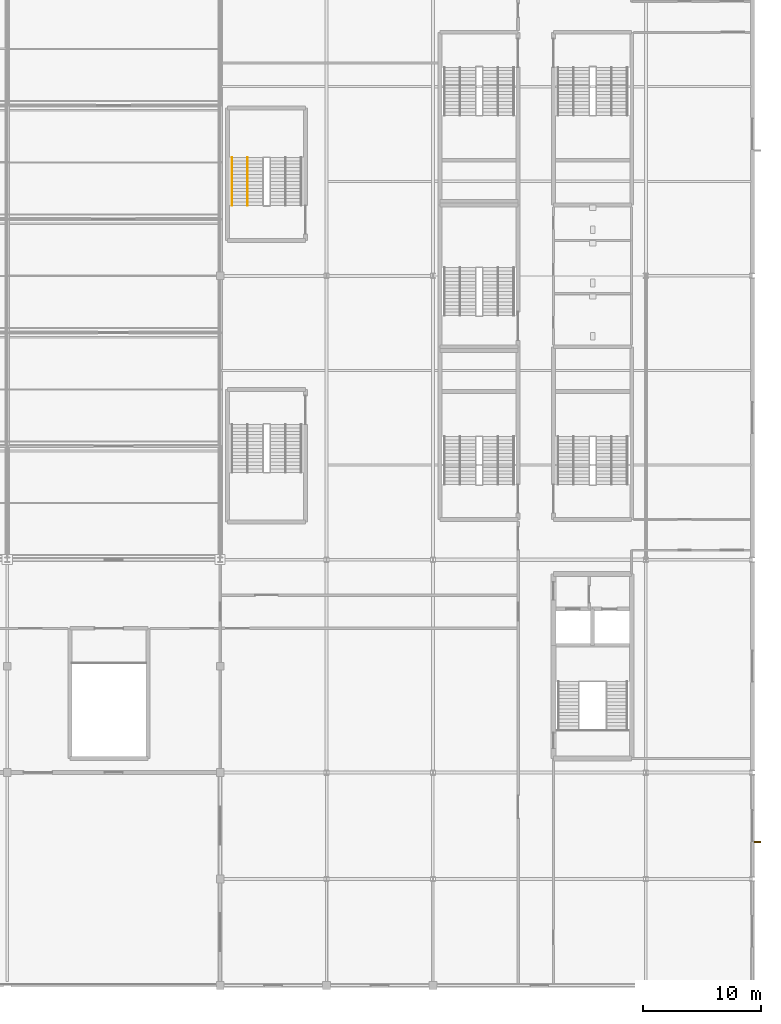
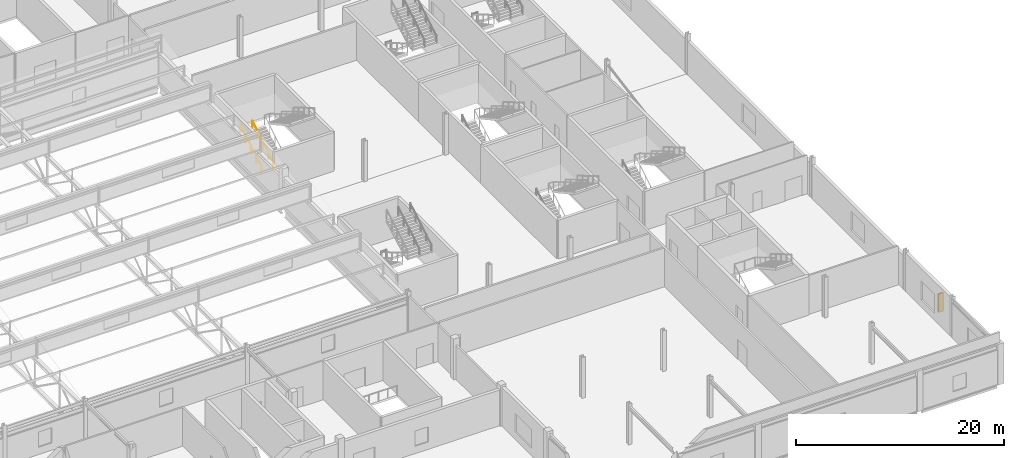
# One storey, part 133 of 136: 2 railings, 1 shading device.
"""IFC4 building model written with IfcOpenShell, lengths in metres."""

from ifc_helpers import new_model, si_unit, direction, frame, origin, origin_2d, place, context, subcontext, project, spatial, rectangle, circle, extrude, material, type_object, element, save


model = new_model("IFC4")

# Units and contexts
model_context = context("Model", 3, precision=1e-05, world=origin(), true_north=direction((0.0, 1.0)))
body_context = subcontext(model_context, "Body", "Model", "MODEL_VIEW")
ifc_project = project(units=[si_unit("LENGTHUNIT", "METRE"), si_unit("AREAUNIT", "SQUARE_METRE"), si_unit("VOLUMEUNIT", "CUBIC_METRE"), si_unit("PLANEANGLEUNIT", "RADIAN"), si_unit("MASSUNIT", "GRAM", prefix="KILO")], contexts=[model_context])

# Site, building, storey
site_placement = place(None, origin())
site = spatial("IfcSite", under=ifc_project, at=site_placement, CompositionType="ELEMENT")
building_placement = place(site_placement, origin())
building = spatial("IfcBuilding", under=site, at=building_placement, Name="Kisiwana Market Hall", CompositionType="ELEMENT")
storey_placement = place(building_placement, frame((0.0, 0.0, 16.800048828125)))
storey = spatial("IfcBuildingStorey", under=building, at=storey_placement, Name="L03", CompositionType="ELEMENT", Elevation=16.800048828125)

# Railings
ifc_material_1 = material(Name="Steel S275", Category="steel")
railing_type = type_object("IfcRailingType", Name="RL-HAND-900", PredefinedType="HANDRAIL", material=ifc_material_1)
for number, where, name in (
    (1, (154.0, 65.9599609375, 0.0), "Stair ST-E10-L03 flight 1 handrail (RL-726)"),
    (2, (155.320068359375, 65.9599609375, 0.0), "Stair ST-E10-L03 flight 1 intermediate handrail (RL-728)"),
):
    element("IfcRailing", number, at=place(storey_placement, frame(where)), inside=storey, type_object=railing_type, Name=name, PredefinedType="HANDRAIL", context=body_context, shape_type="SweptSolid", body=[
        extrude(circle(Radius=0.02392578125, at=origin_2d()), frame((0.0, 0.0, 0.8759765625), z_axis=(0.0, 0.8608543813, 0.508851387142), x_axis=(-1.0, 0.0, 0.0)), (0.0, 0.0, 1.0), 4.71630859375),
        extrude(circle(Radius=0.02099609375, at=origin_2d()), origin(), (0.0, 0.0, 1.0), 0.851806640625),
        extrude(circle(Radius=0.02099609375, at=origin_2d()), frame((0.0, 1.01513671875, 0.60009765625)), (0.0, 0.0, 1.0), 0.851806640625),
        extrude(circle(Radius=0.02099609375, at=origin_2d()), frame((0.0, 2.030029296875, 1.199951171875)), (0.0, 0.0, 1.0), 0.851806640625),
        extrude(circle(Radius=0.02099609375, at=origin_2d()), frame((0.0, 3.044921875, 1.7998046875)), (0.0, 0.0, 1.0), 0.851806640625),
        extrude(circle(Radius=0.02099609375, at=origin_2d()), frame((0.0, 4.06005859375, 2.39990234375)), (0.0, 0.0, 1.0), 0.851806640625),
    ])

# Shading device
ifc_material_2 = material(Name="Aluminium alloy 6063-T6", Category="aluminium")
shading_device_type = type_object("IfcShadingDeviceType", Name="SHD-SHUTTER-V", PredefinedType="SHUTTER", material=ifc_material_2)
shading_device_placement = place(storey_placement, frame((198.445068359375, 12.1171875, 0.85009765625), z_axis=(0.0, 0.0, 1.0), x_axis=(0.0, 1.0, 0.0)))
element("IfcShadingDevice", 3, at=shading_device_placement, inside=storey, type_object=shading_device_type, Name="Vertical solar fin SHD-068 SD-068", PredefinedType="SHUTTER", context=body_context, shape_type="SweptSolid", body=[
    extrude(rectangle(XDim=0.1201171875, YDim=0.550048828125, at=origin_2d()), origin(), (0.0, 0.0, 1.0), 2.199951171875),
])

save(model, "model.ifc")
